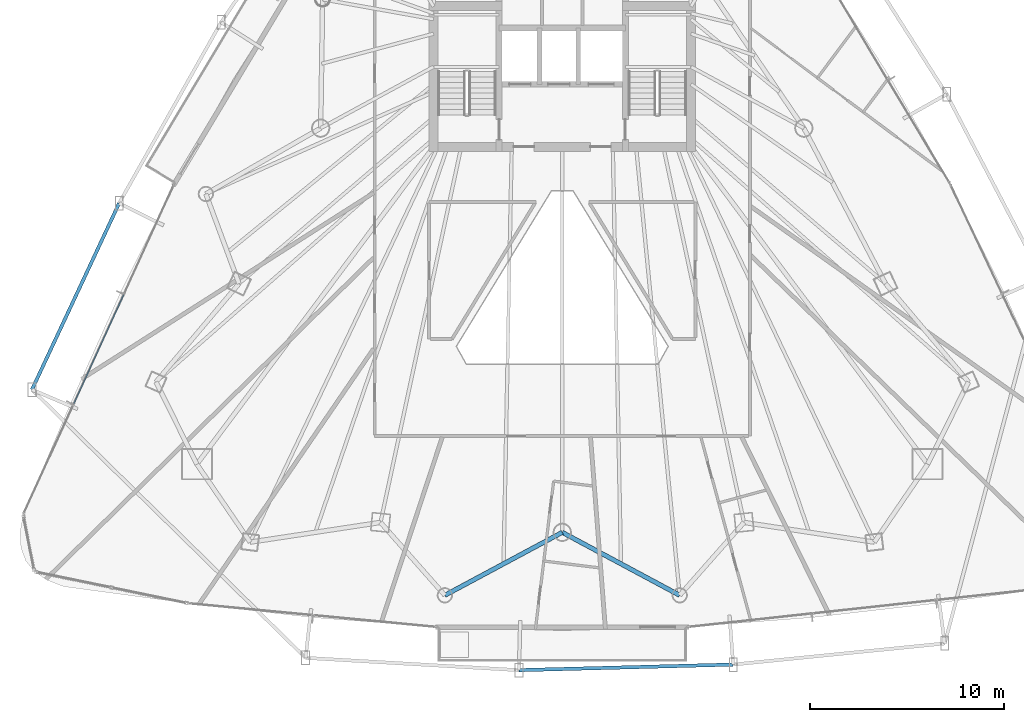
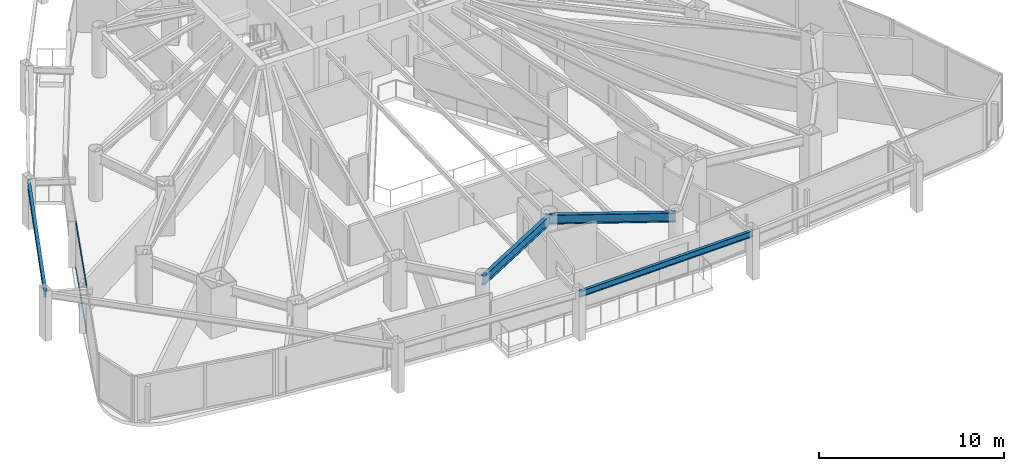
# One storey, part 7 of 34: 4 beams, 2 members, 1 element without a shape of its own.
"""IFC4 building model written with IfcOpenShell, lengths in metres."""

from ifc_helpers import new_model, si_unit, direction, frame, origin, origin_2d, place, context, subcontext, project, spatial, hollow_rectangle, i_section, extrude, material, layer, layer_set, material_profile, profile_set, type_object, element, aggregate, save


model = new_model("IFC4")

# Units and contexts
model_context = context("Model", 3, precision=1e-05, world=origin(), true_north=direction((0.0, 1.0)))
body_context = subcontext(model_context, "Body", "Model", "MODEL_VIEW")
ifc_project = project(units=[si_unit("LENGTHUNIT", "METRE"), si_unit("AREAUNIT", "SQUARE_METRE"), si_unit("VOLUMEUNIT", "CUBIC_METRE"), si_unit("PLANEANGLEUNIT", "RADIAN"), si_unit("MASSUNIT", "GRAM", prefix="KILO")], contexts=[model_context])

# Site, building, storey
site_placement = place(None, origin())
site = spatial("IfcSite", under=ifc_project, at=site_placement, CompositionType="ELEMENT")
building_placement = place(site_placement, origin())
building = spatial("IfcBuilding", under=site, at=building_placement, Name="Orvanel Arch Residences", CompositionType="ELEMENT")
storey_placement = place(building_placement, frame((0.0, 0.0, 64.25)))
storey = spatial("IfcBuildingStorey", under=building, at=storey_placement, Name="L17", CompositionType="ELEMENT", Elevation=64.25)

# Beams
ifc_material_1 = material(Name="Structural steel AS/NZS 3679.1 Grade 300 (300 MPa)", Category="steel")
ifc_material_profile_1 = material_profile(ifc_material_1, i_section(OverallWidth=0.177978515625, OverallDepth=0.406005859375, WebThickness=0.0078125, FlangeThickness=0.0126953125, at=origin_2d()), Name="410UB59.7")
ifc_profile_set_1 = profile_set([ifc_material_profile_1], Name="Structural steel AS/NZS 3679.1 Grade 300 (300 MPa)")
beam_type_1 = type_object("IfcBeamType", Name="OB-410UB-EXT", PredefinedType="SPANDREL", material=ifc_profile_set_1)
beam_1_placement = place(storey_placement, frame((10.198974609375, 23.779052734375, 2.85693359375), z_axis=(-0.423609751468, -0.90584478718, 0.0), x_axis=(0.90584478718, -0.423609751468, 0.0)))
element("IfcBeam", 1, at=beam_1_placement, inside=storey, type_object=beam_type_1, Name="L17 Outer Perimeter Floor Ring Beam 03", PredefinedType="SPANDREL", context=body_context, shape_type="SweptSolid", body=[
    extrude(i_section(OverallWidth=0.177978515625, OverallDepth=0.406005859375, WebThickness=0.0078125, FlangeThickness=0.0126953125, at=origin_2d()), origin(), (0.0, 0.0, 1.0), 10.590087890625),
])
beam_2_placement = place(storey_placement, frame((30.77099609375, -0.2470703125, 2.85693359375), z_axis=(0.999656396903, 0.02621236599, 0.0), x_axis=(-0.02621236599, 0.999656396903, 0.0)))
element("IfcBeam", 2, at=beam_2_placement, inside=storey, type_object=beam_type_1, Name="L17 Outer Perimeter Floor Ring Beam 06", PredefinedType="SPANDREL", context=body_context, shape_type="SweptSolid", body=[
    extrude(i_section(OverallWidth=0.177978515625, OverallDepth=0.406005859375, WebThickness=0.0078125, FlangeThickness=0.0126953125, at=origin_2d()), origin(), (0.0, 0.0, 1.0), 11.02783203125),
])
ifc_material_profile_2 = material_profile(ifc_material_1, i_section(OverallWidth=0.22900390625, OverallDepth=0.612060546875, WebThickness=0.011962890625, FlangeThickness=0.01953125, at=origin_2d()), Name="610UB125")
ifc_profile_set_2 = profile_set([ifc_material_profile_2], Name="Structural steel AS/NZS 3679.1 Grade 300 (300 MPa)")
beam_type_2 = type_object("IfcBeamType", Name="SP-610UB", PredefinedType="SPANDREL", material=ifc_profile_set_2)
for number, where, z_axis, x_axis, name in (
    (3, (26.9580078125, 3.60498046875, 2.75390625), (0.881344400551, 0.472474388319, 0.0), (-0.472474388319, 0.881344400551, 0.0), "L17 Perimeter Spandrel Beam 06"),
    (4, (33.0, 6.843994140625, 2.75390625), (0.881344400551, -0.472474388319, 0.0), (0.472474388319, 0.881344400551, 0.0), "L17 Perimeter Spandrel Beam 07"),
):
    element("IfcBeam", number, at=place(storey_placement, frame(where, z_axis=z_axis, x_axis=x_axis)), inside=storey, type_object=beam_type_2, Name=name, PredefinedType="SPANDREL", context=body_context, shape_type="SweptSolid", body=[
        extrude(i_section(OverallWidth=0.22900390625, OverallDepth=0.612060546875, WebThickness=0.011962890625, FlangeThickness=0.01953125, at=origin_2d()), origin(), (0.0, 0.0, 1.0), 6.85546875),
    ])

# Curtain wall, members
ifc_material_2 = material(Name="Bronze-anodised aluminium AA6063-T6", Category="aluminium")
ifc_layer = layer(ifc_material_2, 0.179931640625)
ifc_layer_set = layer_set([ifc_layer], Name="Bronze-anodised aluminium AA6063-T6")
curtain_wall_type = type_object("IfcCurtainWallType", Name="CW2-LOW-SYS", PredefinedType="NOTDEFINED", material=ifc_layer_set)
curtain_wall_placement = place(storey_placement, origin())
curtain_wall = element("IfcCurtainWall", 5, at=curtain_wall_placement, inside=storey, type_object=curtain_wall_type, Name="L17 CW2-LOW-SYS Unitised Curtain Wall", PredefinedType="NOTDEFINED")
ifc_material_profile_3 = material_profile(ifc_material_2, hollow_rectangle(XDim=0.06005859375, YDim=0.135009765625, WallThickness=0.00390625, at=origin_2d()), Name="ALU135x60x4")
ifc_profile_set_3 = profile_set([ifc_material_profile_3], Name="Bronze-anodised aluminium AA6063-T6")
member_type = type_object("IfcMemberType", Name="TRN-135x60", PredefinedType="USERDEFINED", material=ifc_profile_set_3)
member_1_placement = place(storey_placement, frame((10.42919921875, 19.061767578125, 0.030029296875), z_axis=(-0.415704488357, -0.909499740714, 0.0), x_axis=(0.909499740714, -0.415704488357, 0.0)))
member_1 = element("IfcMember", 6, at=member_1_placement, type_object=member_type, Name="CW-S2 transom 2.1", ObjectType="TRANSOM", PredefinedType="USERDEFINED", context=body_context, shape_type="SweptSolid", body=[
    extrude(hollow_rectangle(XDim=0.06005859375, YDim=0.135009765625, WallThickness=0.00390625, at=origin_2d()), origin(), (0.0, 0.0, 1.0), 6.158935546875),
])
member_2_placement = place(storey_placement, frame((10.42919921875, 19.061767578125, 3.030029296875), z_axis=(-0.415704488357, -0.909499740714, 0.0), x_axis=(0.909499740714, -0.415704488357, 0.0)))
member_2 = element("IfcMember", 7, at=member_2_placement, type_object=member_type, Name="CW-S2 transom 2.2", ObjectType="TRANSOM", PredefinedType="USERDEFINED", context=body_context, shape_type="SweptSolid", body=[
    extrude(hollow_rectangle(XDim=0.06005859375, YDim=0.135009765625, WallThickness=0.00390625, at=origin_2d()), origin(), (0.0, 0.0, 1.0), 6.158935546875),
])
aggregate(curtain_wall, [member_1, member_2])

save(model, "model.ifc")
